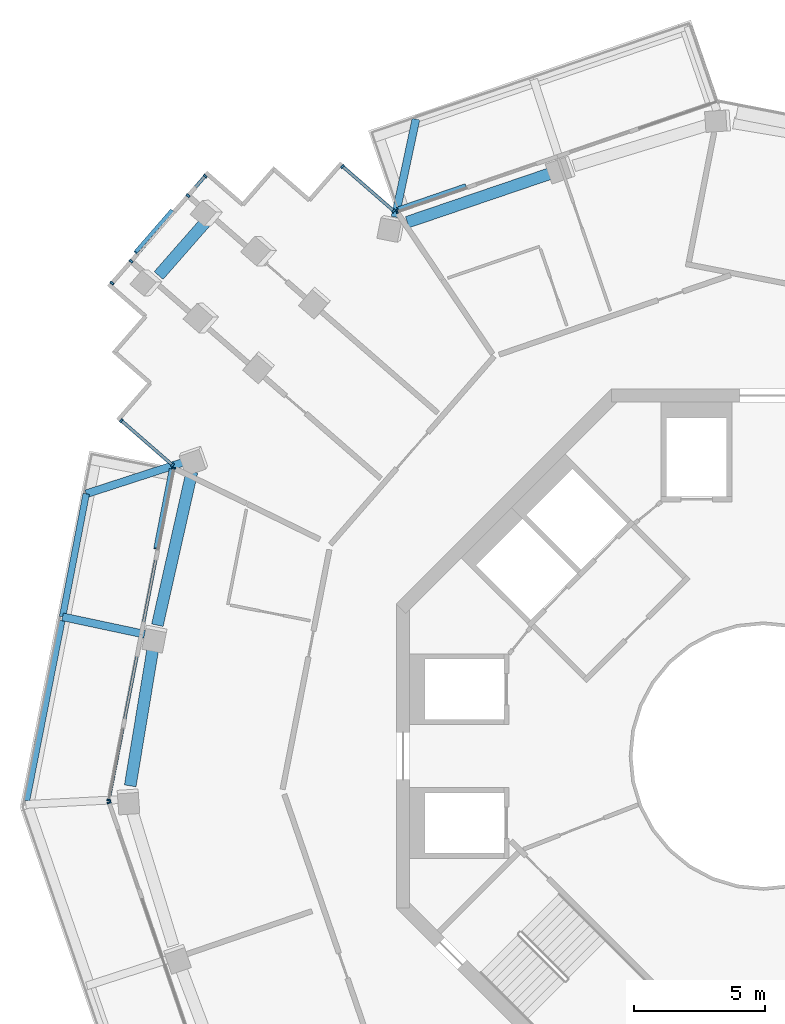
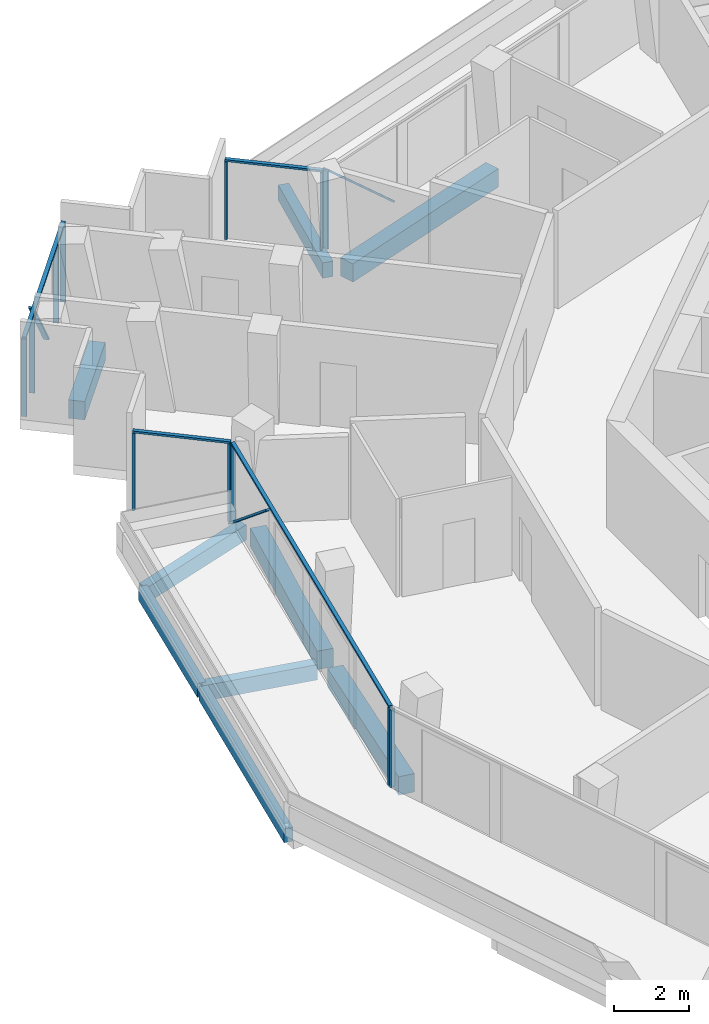
# One storey, part 6 of 22: 19 members, 9 beams, 6 elements without a shape of their own.
"""IFC4 building model written with IfcOpenShell, lengths in metres."""

import ifcopenshell
import ifcopenshell.guid

model = None  # the IFC model being written
_history = None  # IfcOwnerHistory: only IFC2X3 demands one
_inside = {}  # id of a spatial element -> (the spatial element, [elements in it])
_under = {}  # id of a project, library or spatial element -> (it, [spatial elements below it])
_declared = {}  # id of a project -> (the project, [libraries it declares])
_typed = {}  # id of a type object -> (the type object, [elements of that type])
_made_of = {}  # id of a material, layer set ... -> (it, [elements and type objects made of it])


def new_model(schema):
    """Start an empty IFC model of exactly this schema.

    Asked for "IFC4X3", IfcOpenShell would pick the latest addendum, in which some entities
    have other attributes; the version numbers below select the first issue.
    IFC2X3 requires an IfcOwnerHistory on every rooted entity: one is made here for all.
    """
    global model, _history
    if schema == "IFC4X3":
        model = ifcopenshell.file(schema_version=(4, 3, 0, 0))
    else:
        model = ifcopenshell.file(schema=schema)
    _inside.clear()
    _under.clear()
    _declared.clear()
    _typed.clear()
    _made_of.clear()
    _history = None
    if model.schema == "IFC2X3":
        org = make("IfcOrganization", Name="unknown")
        user = make(
            "IfcPersonAndOrganization",
            ThePerson=make("IfcPerson", FamilyName="unknown"),
            TheOrganization=org,
        )
        app = make(
            "IfcApplication",
            ApplicationDeveloper=org,
            Version="unknown",
            ApplicationFullName="unknown",
            ApplicationIdentifier="unknown",
        )
        _history = make(
            "IfcOwnerHistory",
            OwningUser=user,
            OwningApplication=app,
            ChangeAction="ADDED",
            CreationDate=0,
        )
    return model


def make(cls, **values):
    """One entity of the class cls with the attributes given. An attribute that is None is left unset."""
    return model.create_entity(
        cls, **{name: value for name, value in values.items() if value is not None}
    )


def rooted(cls, **values):
    """An entity with a GlobalId (a new one), such as an element, a storey or a relation."""
    return make(cls, GlobalId=ifcopenshell.guid.new(), OwnerHistory=_history, **values)


def si_unit(unit_type, name, prefix=None):
    """IfcSIUnit, for example si_unit("LENGTHUNIT", "METRE", prefix="MILLI")."""
    return make("IfcSIUnit", UnitType=unit_type, Prefix=prefix, Name=name)


def assignment(units):
    """IfcUnitAssignment: the units of a project."""
    return None if units is None else make("IfcUnitAssignment", Units=units)


def point(xyz):
    """IfcCartesianPoint."""
    return None if xyz is None else make("IfcCartesianPoint", Coordinates=xyz)


def direction(xyz):
    """IfcDirection."""
    return None if xyz is None else make("IfcDirection", DirectionRatios=xyz)


def frame(location, z_axis=None, x_axis=None):
    """IfcAxis2Placement3D, a coordinate frame: its origin and axes. An axis left out is left unset."""
    return make(
        "IfcAxis2Placement3D",
        Location=point(location),
        Axis=direction(z_axis),
        RefDirection=direction(x_axis),
    )


def frame_2d(location, x_axis=None):
    """IfcAxis2Placement2D, a coordinate frame in the plane: its origin and x axis."""
    return make(
        "IfcAxis2Placement2D", Location=point(location), RefDirection=direction(x_axis)
    )


def origin():
    """The frame at (0, 0, 0) with its axes left unset."""
    return frame((0.0, 0.0, 0.0))


def origin_2d():
    """The frame at (0, 0) in the plane with its x axis left unset."""
    return frame_2d((0.0, 0.0))


def place(relative_to, where):
    """IfcLocalPlacement: puts the frame where relative to a parent placement (None: the world)."""
    return make(
        "IfcLocalPlacement", PlacementRelTo=relative_to, RelativePlacement=where
    )


def context(
    kind, dimensions, precision=None, world=None, true_north=None, identifier=None
):
    """IfcGeometricRepresentationContext, for example the 3D "Model" context."""
    return make(
        "IfcGeometricRepresentationContext",
        ContextIdentifier=identifier,
        ContextType=kind,
        CoordinateSpaceDimension=dimensions,
        Precision=precision,
        WorldCoordinateSystem=world,
        TrueNorth=true_north,
    )


def subcontext(parent, identifier, kind, view, scale=None):
    """IfcGeometricRepresentationSubContext, for example "Body" below "Model"."""
    return make(
        "IfcGeometricRepresentationSubContext",
        ContextIdentifier=identifier,
        ContextType=kind,
        ParentContext=parent,
        TargetScale=scale,
        TargetView=view,
    )


def project(units=None, contexts=None):
    """IfcProject with its units and contexts."""
    return rooted(
        "IfcProject",
        Name="project",
        RepresentationContexts=contexts,
        UnitsInContext=assignment(units),
    )


def spatial(cls, under=None, at=None, **own):
    """A site, building, storey or space (cls), placed at a placement, below another one or the project."""
    s = rooted(cls, ObjectPlacement=at, **own)
    if under is not None:
        _under.setdefault(under.id(), (under, []))[1].append(s)
    return s


def profile(cls, at=None, kind="AREA", **sizes):
    """A parametric profile (cls). Its sizes go by their IFC names, for example OverallWidth=200.0."""
    return make(cls, ProfileType=kind, Position=at, **sizes)


def rectangle(**sizes):
    """IfcRectangleProfileDef."""
    return profile("IfcRectangleProfileDef", **sizes)


def extrude(swept, where, along, depth):
    """IfcExtrudedAreaSolid: the profile swept, set in the frame where, extruded along a direction by depth."""
    return make(
        "IfcExtrudedAreaSolid",
        SweptArea=swept,
        Position=where,
        ExtrudedDirection=direction(along),
        Depth=depth,
    )


def shape(context_of_items, identifier, shape_type, items):
    """IfcShapeRepresentation: the items that make up one representation, for example the "Body"."""
    return make(
        "IfcShapeRepresentation",
        ContextOfItems=context_of_items,
        RepresentationIdentifier=identifier,
        RepresentationType=shape_type,
        Items=items,
    )


def material(Name=None, Category=None):
    """IfcMaterial."""
    return make("IfcMaterial", Name=Name, Category=Category)


def layer(
    of_material, thickness, ventilated=None, Name=None, Category=None, Priority=None
):
    """IfcMaterialLayer: one layer of a wall or slab, of a material (None: an air gap)."""
    return make(
        "IfcMaterialLayer",
        Material=of_material,
        LayerThickness=thickness,
        IsVentilated=ventilated,
        Name=Name,
        Category=Category,
        Priority=Priority,
    )


def layer_set(layers, Name=None):
    """IfcMaterialLayerSet."""
    return make("IfcMaterialLayerSet", MaterialLayers=layers, LayerSetName=Name)


def material_profile(
    of_material, cross_section, Name=None, Category=None, Priority=None
):
    """IfcMaterialProfile: a cross section and its material."""
    return make(
        "IfcMaterialProfile",
        Name=Name,
        Material=of_material,
        Profile=cross_section,
        Priority=Priority,
        Category=Category,
    )


def profile_set(profiles, Name=None, composite=None):
    """IfcMaterialProfileSet."""
    return make(
        "IfcMaterialProfileSet",
        Name=Name,
        MaterialProfiles=profiles,
        CompositeProfile=composite,
    )


def made_of(thing, what):
    """Note that an element or type object is made of a material, layer set ...; save() writes the relation."""
    if what is not None:
        _made_of.setdefault(what.id(), (what, []))[1].append(thing)
    return thing


def type_object(cls, material=None, **own):
    """A type object (cls), such as IfcWallType, which elements share."""
    return made_of(rooted(cls, **own), material)


def element(
    cls,
    number,
    at=None,
    inside=None,
    cuts=None,
    type_object=None,
    material=None,
    context=None,
    identifier="Body",
    shape_type=None,
    held_by="IfcProductDefinitionShape",
    body=None,
    shapes=None,
    **own,
):
    """One element of the class cls, such as IfcWall. Its Tag is "e" and its number.

    at: its placement. inside: the storey or other place that contains it. cuts: it is an
    opening in that element (IfcRelVoidsElement). A single representation is given by context,
    identifier, shape_type and body (its items); several are given by shapes. held_by: the class
    of the entity that holds the representations. save() writes the other relations.
    """
    e = rooted(cls, Tag="e%d" % number, ObjectPlacement=at, **own)
    if body is not None:
        shapes = [shape(context, identifier, shape_type, body)]
    if shapes is not None:
        e.Representation = make(held_by, Representations=shapes)
    if inside is not None:
        _inside.setdefault(inside.id(), (inside, []))[1].append(e)
    if cuts is not None:
        rooted(
            "IfcRelVoidsElement", RelatingBuildingElement=cuts, RelatedOpeningElement=e
        )
    if type_object is not None:
        _typed.setdefault(type_object.id(), (type_object, []))[1].append(e)
    return made_of(e, material)


def aggregate(whole, parts):
    """IfcRelAggregates: a whole, such as a stair, and the parts it consists of."""
    return rooted("IfcRelAggregates", RelatingObject=whole, RelatedObjects=parts)


def save(model, path):
    """Write the relations noted so far, then the file.

    IfcRelAggregates (storeys below a building ...), IfcRelContainedInSpatialStructure (elements
    in a storey), IfcRelDefinesByType, IfcRelAssociatesMaterial and IfcRelDeclares: one each for
    every whole, place, type object, material and project.
    """
    for whole, parts in _under.values():
        aggregate(whole, parts)
    for where, things in _inside.values():
        rooted(
            "IfcRelContainedInSpatialStructure",
            RelatedElements=things,
            RelatingStructure=where,
        )
    for kind, things in _typed.values():
        rooted("IfcRelDefinesByType", RelatedObjects=things, RelatingType=kind)
    for what, things in _made_of.values():
        rooted("IfcRelAssociatesMaterial", RelatedObjects=things, RelatingMaterial=what)
    for by, libraries in _declared.values():
        rooted("IfcRelDeclares", RelatingContext=by, RelatedDefinitions=libraries)
    model.write(path)


model = new_model("IFC4")

# Units and contexts
model_context = context("Model", 3, precision=1e-05, world=origin(), true_north=direction((0.0, 1.0)))
body_context = subcontext(model_context, "Body", "Model", "MODEL_VIEW")
ifc_project = project(units=[si_unit("LENGTHUNIT", "METRE"), si_unit("AREAUNIT", "SQUARE_METRE"), si_unit("VOLUMEUNIT", "CUBIC_METRE"), si_unit("PLANEANGLEUNIT", "RADIAN"), si_unit("MASSUNIT", "GRAM", prefix="KILO")], contexts=[model_context])

# Site, building, storey
site_placement = place(None, origin())
site = spatial("IfcSite", under=ifc_project, at=site_placement, CompositionType="ELEMENT")
building_placement = place(site_placement, origin())
building = spatial("IfcBuilding", under=site, at=building_placement, Name="Verdalira Terraces Hotel", CompositionType="ELEMENT")
storey_placement = place(building_placement, frame((0.0, 0.0, 234.0)))
storey = spatial("IfcBuildingStorey", under=building, at=storey_placement, Name="L57", CompositionType="ELEMENT", Elevation=234.0)

# Beams
ifc_material_1 = material(Name="Concrete C40", Category="concrete")
ifc_material_profile_1 = material_profile(ifc_material_1, rectangle(XDim=0.300049, YDim=0.5, at=origin_2d()), Name="RC 300X500")
ifc_profile_set_1 = profile_set([ifc_material_profile_1], Name="Concrete C40")
beam_type_1 = type_object("IfcBeamType", Name="Balcony cantilever beam RC 300X500 C40", PredefinedType="BEAM", material=ifc_profile_set_1)
beam_1_placement = place(storey_placement, frame((-22.076172, 11.226074, -0.560059), z_axis=(-0.951072214, -0.308968677, 0.0), x_axis=(0.308968677, -0.951072214, 0.0)))
element("IfcBeam", 1, at=beam_1_placement, inside=storey, type_object=beam_type_1, Name="Balcony cantilever beam R11-3", PredefinedType="BEAM", context=body_context, shape_type="SweptSolid", body=[
    extrude(rectangle(XDim=0.300049, YDim=0.5, at=origin_2d()), origin(), (0.0, 0.0, 1.0), 3.950195),
])
beam_2_placement = place(storey_placement, frame((-23.604736, 4.647949, -0.560059), z_axis=(-0.978144891, 0.207924437, 0.0), x_axis=(-0.207924437, -0.978144891, 0.0)))
element("IfcBeam", 2, at=beam_2_placement, inside=storey, type_object=beam_type_1, Name="Balcony cantilever beam R11-4", PredefinedType="BEAM", context=body_context, shape_type="SweptSolid", body=[
    extrude(rectangle(XDim=0.300049, YDim=0.5, at=origin_2d()), origin(), (0.0, 0.0, 1.0), 3.200928),
])
beam_3_placement = place(storey_placement, frame((-14.048584, 20.562256, -0.560059), z_axis=(0.207913793, 0.978147154, 0.0), x_axis=(-0.978147154, 0.207913793, 0.0)))
element("IfcBeam", 3, at=beam_3_placement, inside=storey, type_object=beam_type_1, Name="Balcony cantilever beam R41-3", PredefinedType="BEAM", context=body_context, shape_type="SweptSolid", body=[
    extrude(rectangle(XDim=0.300049, YDim=0.5, at=origin_2d()), origin(), (0.0, 0.0, 1.0), 3.819824),
])
ifc_material_2 = material(Name="Concrete C40", Category="concrete")
ifc_material_profile_2 = material_profile(ifc_material_2, rectangle(XDim=0.25, YDim=0.449951, at=origin_2d()), Name="RC 250X450")
ifc_profile_set_2 = profile_set([ifc_material_profile_2], Name="Concrete C40")
beam_type_2 = type_object("IfcBeamType", Name="Balcony edge beam RC 250X450 C40", PredefinedType="BEAM", material=ifc_profile_set_2)
beam_4_placement = place(storey_placement, frame((-25.833008, 10.005615, -0.534912), z_axis=(-0.188898561, -0.981996606, 0.0), x_axis=(0.981996606, -0.188898561, 0.0)))
element("IfcBeam", 4, at=beam_4_placement, inside=storey, type_object=beam_type_2, Name="Balcony edge beam R11-2", PredefinedType="BEAM", context=body_context, shape_type="SweptSolid", body=[
    extrude(rectangle(XDim=0.25, YDim=0.449951, at=origin_2d()), origin(), (0.0, 0.0, 1.0), 4.778076),
])
beam_5_placement = place(storey_placement, frame((-26.764404, 5.16626, -0.534912), z_axis=(-0.192313573, -0.981333526, 0.0), x_axis=(0.981333526, -0.192313573, 0.0)))
element("IfcBeam", 5, at=beam_5_placement, inside=storey, type_object=beam_type_2, Name="Balcony edge beam R11-3", PredefinedType="BEAM", context=body_context, shape_type="SweptSolid", body=[
    extrude(rectangle(XDim=0.25, YDim=0.449951, at=origin_2d()), origin(), (0.0, 0.0, 1.0), 6.991211),
])

# Curtain wall, members
ifc_material_3 = material(Name="Clear glass", Category="glass")
ifc_layer_1 = layer(ifc_material_3, 0.14990234375)
ifc_layer_set_1 = layer_set([ifc_layer_1], Name="CW1 curtain wall")
curtain_wall_type_1 = type_object("IfcCurtainWallType", Name="CW1 curtain wall", PredefinedType="NOTDEFINED", material=ifc_layer_set_1)
curtain_wall_1_placement = place(storey_placement, origin())
curtain_wall_1 = element("IfcCurtainWall", 6, at=curtain_wall_1_placement, inside=storey, type_object=curtain_wall_type_1, Name="CW1 curtain wall L57 edge 11", PredefinedType="NOTDEFINED")
ifc_material_4 = material(Name="Terracotta frame", Category="masonry")
ifc_material_profile_3 = material_profile(ifc_material_4, rectangle(XDim=0.060059, YDim=0.149902, at=origin_2d()), Name="MU 60x150")
ifc_profile_set_3 = profile_set([ifc_material_profile_3], Name="Terracotta frame")
member_type_1 = type_object("IfcMemberType", Name="CW1 mullion 60x150", PredefinedType="MULLION", material=ifc_profile_set_3)
member_1_placement = place(storey_placement, frame((-22.496826, 10.981201, 0.0), z_axis=(0.0, 0.0, 1.0), x_axis=(-0.191494254, -0.981493734, 0.0)))
member_1 = element("IfcMember", 7, at=member_1_placement, type_object=member_type_1, Name="CW1 mullion", PredefinedType="MULLION", context=body_context, shape_type="SweptSolid", body=[
    extrude(rectangle(XDim=0.060059, YDim=0.149902, at=origin_2d()), origin(), (0.0, 0.0, 1.0), 2.524902),
])
member_2_placement = place(storey_placement, frame((-24.967041, -1.679932, 0.0), z_axis=(0.0, 0.0, 1.0), x_axis=(-0.191494254, -0.981493734, 0.0)))
member_2 = element("IfcMember", 8, at=member_2_placement, type_object=member_type_1, Name="CW1 mullion", PredefinedType="MULLION", context=body_context, shape_type="SweptSolid", body=[
    extrude(rectangle(XDim=0.060059, YDim=0.149902, at=origin_2d()), origin(), (0.0, 0.0, 1.0), 2.524902),
])

# Curtain wall, member
curtain_wall_2_placement = place(storey_placement, origin())
curtain_wall_2 = element("IfcCurtainWall", 9, at=curtain_wall_2_placement, inside=storey, type_object=curtain_wall_type_1, Name="CW1 curtain wall L57 edge 12", PredefinedType="NOTDEFINED")
member_3_placement = place(storey_placement, frame((-24.960449, -1.776367, 0.0), z_axis=(0.0, 0.0, 1.0), x_axis=(0.324907979, -0.945745635, 0.0)))
member_3 = element("IfcMember", 10, at=member_3_placement, type_object=member_type_1, Name="CW1 mullion", PredefinedType="MULLION", context=body_context, shape_type="SweptSolid", body=[
    extrude(rectangle(XDim=0.060059, YDim=0.149902, at=origin_2d()), origin(), (0.0, 0.0, 1.0), 2.524902),
])
aggregate(curtain_wall_2, [member_3])

curtain_wall_3_placement = place(storey_placement, origin())
curtain_wall_3 = element("IfcCurtainWall", 11, at=curtain_wall_3_placement, inside=storey, type_object=curtain_wall_type_1, Name="CW1 curtain wall L57 edge 41", PredefinedType="NOTDEFINED")
member_4_placement = place(storey_placement, frame((-13.976318, 20.769043, 0.0), z_axis=(0.0, 0.0, 1.0), x_axis=(-0.945745635, -0.324907979, 0.0)))
member_4 = element("IfcMember", 12, at=member_4_placement, type_object=member_type_1, Name="CW1 mullion", PredefinedType="MULLION", context=body_context, shape_type="SweptSolid", body=[
    extrude(rectangle(XDim=0.060059, YDim=0.149902, at=origin_2d()), origin(), (0.0, 0.0, 1.0), 2.524902),
])

# Member
ifc_material_5 = material(Name="Terracotta frame", Category="masonry")
ifc_material_profile_4 = material_profile(ifc_material_5, rectangle(XDim=0.110107, YDim=0.064941, at=origin_2d()), Name="TR 65x110")
ifc_profile_set_4 = profile_set([ifc_material_profile_4], Name="Terracotta frame")
member_type_2 = type_object("IfcMemberType", Name="CW1 transom 65x110", PredefinedType="USERDEFINED", material=ifc_profile_set_4)
member_5_placement = place(storey_placement, frame((-22.490967, 11.010742, 2.557617), z_axis=(-0.191509474, -0.981490765, 0.0), x_axis=(0.981490765, -0.191509474, 0.0)))
member_5 = element("IfcMember", 13, at=member_5_placement, type_object=member_type_2, Name="CW1 transom", ObjectType="TRANSOM", PredefinedType="USERDEFINED", context=body_context, shape_type="SweptSolid", body=[
    extrude(rectangle(XDim=0.110107, YDim=0.064941, at=origin_2d()), origin(), (0.0, 0.0, 1.0), 12.959961),
])

# Curtain wall, members
ifc_material_6 = material(Name="Clear glass", Category="glass")
ifc_layer_2 = layer(ifc_material_6, 0.14990234375)
ifc_layer_set_2 = layer_set([ifc_layer_2], Name="CW2 curtain wall")
curtain_wall_type_2 = type_object("IfcCurtainWallType", Name="CW2 curtain wall", PredefinedType="NOTDEFINED", material=ifc_layer_set_2)
curtain_wall_4_placement = place(storey_placement, origin())
curtain_wall_4 = element("IfcCurtainWall", 14, at=curtain_wall_4_placement, inside=storey, type_object=curtain_wall_type_2, Name="CW2 curtain wall L57 edge 0", PredefinedType="NOTDEFINED")
ifc_material_7 = material(Name="Terracotta frame", Category="masonry")
ifc_material_profile_5 = material_profile(ifc_material_7, rectangle(XDim=0.070068, YDim=0.149902, at=origin_2d()), Name="MU 70x150")
ifc_profile_set_5 = profile_set([ifc_material_profile_5], Name="Terracotta frame")
member_type_3 = type_object("IfcMemberType", Name="CW2 mullion 70x150", PredefinedType="MULLION", material=ifc_profile_set_5)
member_6_placement = place(storey_placement, frame((-14.104736, 20.796631, 0.0), z_axis=(0.0, 0.0, 1.0), x_axis=(-0.754251381, 0.656585756, 0.0)))
member_6 = element("IfcMember", 15, at=member_6_placement, type_object=member_type_3, Name="CW2 mullion", PredefinedType="MULLION", context=body_context, shape_type="SweptSolid", body=[
    extrude(rectangle(XDim=0.070068, YDim=0.149902, at=origin_2d()), origin(), (0.0, 0.0, 1.0), 2.524902),
])
member_7_placement = place(storey_placement, frame((-16.055664, 22.495117, 0.0), z_axis=(0.0, 0.0, 1.0), x_axis=(-0.754251381, 0.656585756, 0.0)))
member_7 = element("IfcMember", 16, at=member_7_placement, type_object=member_type_3, Name="CW2 mullion", PredefinedType="MULLION", context=body_context, shape_type="SweptSolid", body=[
    extrude(rectangle(XDim=0.070068, YDim=0.149902, at=origin_2d()), origin(), (0.0, 0.0, 1.0), 2.524902),
])

curtain_wall_5_placement = place(storey_placement, origin())
curtain_wall_5 = element("IfcCurtainWall", 17, at=curtain_wall_5_placement, inside=storey, type_object=curtain_wall_type_2, Name="CW2 curtain wall L57 edge 10", PredefinedType="NOTDEFINED")
member_8_placement = place(storey_placement, frame((-24.492676, 12.802979, 0.0), z_axis=(0.0, 0.0, 1.0), x_axis=(0.754251381, -0.656585756, 0.0)))
member_8 = element("IfcMember", 18, at=member_8_placement, type_object=member_type_3, Name="CW2 mullion", PredefinedType="MULLION", context=body_context, shape_type="SweptSolid", body=[
    extrude(rectangle(XDim=0.070068, YDim=0.149902, at=origin_2d()), origin(), (0.0, 0.0, 1.0), 2.524902),
])
member_9_placement = place(storey_placement, frame((-22.541748, 11.104492, 0.0), z_axis=(0.0, 0.0, 1.0), x_axis=(0.754251381, -0.656585756, 0.0)))
member_9 = element("IfcMember", 19, at=member_9_placement, type_object=member_type_3, Name="CW2 mullion", PredefinedType="MULLION", context=body_context, shape_type="SweptSolid", body=[
    extrude(rectangle(XDim=0.070068, YDim=0.149902, at=origin_2d()), origin(), (0.0, 0.0, 1.0), 2.524902),
])

# Member
ifc_material_8 = material(Name="Terracotta frame", Category="masonry")
ifc_material_profile_6 = material_profile(ifc_material_8, rectangle(XDim=0.11499, YDim=0.064941, at=origin_2d()), Name="TR 65x115")
ifc_profile_set_6 = profile_set([ifc_material_profile_6], Name="Terracotta frame")
member_type_4 = type_object("IfcMemberType", Name="CW2 transom 65x115", PredefinedType="USERDEFINED", material=ifc_profile_set_6)
member_10_placement = place(storey_placement, frame((-14.078369, 20.773682, 2.557617), z_axis=(-0.754219592, 0.656622272, 0.0), x_axis=(-0.656622272, -0.754219592, 0.0)))
member_10 = element("IfcMember", 20, at=member_10_placement, type_object=member_type_4, Name="CW2 transom", ObjectType="TRANSOM", PredefinedType="USERDEFINED", context=body_context, shape_type="SweptSolid", body=[
    extrude(rectangle(XDim=0.11499, YDim=0.064941, at=origin_2d()), origin(), (0.0, 0.0, 1.0), 2.656494),
])

aggregate(curtain_wall_4, [member_6, member_7, member_10])

member_11_placement = place(storey_placement, frame((-24.519043, 12.825928, 2.557617), z_axis=(0.754219592, -0.656622272, 0.0), x_axis=(0.656622272, 0.754219592, 0.0)))
member_11 = element("IfcMember", 21, at=member_11_placement, type_object=member_type_4, Name="CW2 transom", ObjectType="TRANSOM", PredefinedType="USERDEFINED", context=body_context, shape_type="SweptSolid", body=[
    extrude(rectangle(XDim=0.11499, YDim=0.064941, at=origin_2d()), origin(), (0.0, 0.0, 1.0), 2.656494),
])

aggregate(curtain_wall_5, [member_8, member_9, member_11])

# Curtain wall, members
ifc_material_9 = material(Name="Clear glass", Category="glass")
ifc_layer_3 = layer(ifc_material_9, 0.14990234375)
ifc_layer_set_3 = layer_set([ifc_layer_3], Name="CW3 curtain wall")
curtain_wall_type_3 = type_object("IfcCurtainWallType", Name="CW3 curtain wall", PredefinedType="NOTDEFINED", material=ifc_layer_set_3)
curtain_wall_6_placement = place(storey_placement, origin())
curtain_wall_6 = element("IfcCurtainWall", 22, at=curtain_wall_6_placement, inside=storey, type_object=curtain_wall_type_3, Name="CW3 curtain wall L57 edge 5", PredefinedType="NOTDEFINED")
ifc_material_10 = material(Name="Terracotta frame", Category="masonry")
ifc_material_profile_7 = material_profile(ifc_material_10, rectangle(XDim=0.080078, YDim=0.149902, at=origin_2d()), Name="MU 80x150")
ifc_profile_set_7 = profile_set([ifc_material_profile_7], Name="Terracotta frame")
member_type_5 = type_object("IfcMemberType", Name="CW3 mullion 80x150", PredefinedType="MULLION", material=ifc_profile_set_7)
member_12_placement = place(storey_placement, frame((-21.293213, 22.128906, 0.0), z_axis=(0.0, 0.0, 1.0), x_axis=(-0.656585756, -0.754251381, 0.0)))
member_12 = element("IfcMember", 23, at=member_12_placement, type_object=member_type_5, Name="CW3 mullion", PredefinedType="MULLION", context=body_context, shape_type="SweptSolid", body=[
    extrude(rectangle(XDim=0.080078, YDim=0.149902, at=origin_2d()), origin(), (0.0, 0.0, 1.0), 2.524902),
])
member_13_placement = place(storey_placement, frame((-21.945068, 21.379883, 0.0), z_axis=(0.0, 0.0, 1.0), x_axis=(-0.656585756, -0.754251381, 0.0)))
member_13 = element("IfcMember", 24, at=member_13_placement, type_object=member_type_5, Name="CW3 mullion", PredefinedType="MULLION", context=body_context, shape_type="SweptSolid", body=[
    extrude(rectangle(XDim=0.080078, YDim=0.149902, at=origin_2d()), origin(), (0.0, 0.0, 1.0), 2.524902),
])
member_14_placement = place(storey_placement, frame((-24.121582, 18.879639, 0.0), z_axis=(0.0, 0.0, 1.0), x_axis=(-0.656585756, -0.754251381, 0.0)))
member_14 = element("IfcMember", 25, at=member_14_placement, type_object=member_type_5, Name="CW3 mullion", PredefinedType="MULLION", context=body_context, shape_type="SweptSolid", body=[
    extrude(rectangle(XDim=0.080078, YDim=0.149902, at=origin_2d()), origin(), (0.0, 0.0, 1.0), 2.524902),
])
member_15_placement = place(storey_placement, frame((-24.851807, 18.040771, 0.0), z_axis=(0.0, 0.0, 1.0), x_axis=(-0.656585756, -0.754251381, 0.0)))
member_15 = element("IfcMember", 26, at=member_15_placement, type_object=member_type_5, Name="CW3 mullion", PredefinedType="MULLION", context=body_context, shape_type="SweptSolid", body=[
    extrude(rectangle(XDim=0.080078, YDim=0.149902, at=origin_2d()), origin(), (0.0, 0.0, 1.0), 2.524902),
])
ifc_material_11 = material(Name="Terracotta frame", Category="masonry")
ifc_material_profile_8 = material_profile(ifc_material_11, rectangle(XDim=0.120117, YDim=0.064941, at=origin_2d()), Name="TR 65x120")
ifc_profile_set_8 = profile_set([ifc_material_profile_8], Name="Terracotta frame")
member_type_6 = type_object("IfcMemberType", Name="CW3 transom 65x120", PredefinedType="USERDEFINED", material=ifc_profile_set_8)
member_16_placement = place(storey_placement, frame((-21.266846, 22.15918, 2.557617), z_axis=(-0.656591824, -0.754246098, 0.0), x_axis=(0.754246098, -0.656591824, 0.0)))
member_16 = element("IfcMember", 27, at=member_16_placement, type_object=member_type_6, Name="CW3 transom", ObjectType="TRANSOM", PredefinedType="USERDEFINED", context=body_context, shape_type="SweptSolid", body=[
    extrude(rectangle(XDim=0.120117, YDim=0.064941, at=origin_2d()), origin(), (0.0, 0.0, 1.0), 5.5),
])
ifc_material_12 = material(Name="Terracotta frame", Category="masonry")
ifc_material_profile_9 = material_profile(ifc_material_12, rectangle(XDim=0.149902, YDim=0.060059, at=origin_2d()), Name="GB 60x150")
ifc_profile_set_9 = profile_set([ifc_material_profile_9], Name="Terracotta frame")
member_type_7 = type_object("IfcMemberType", Name="Diagonal glazing bar 60x150", PredefinedType="USERDEFINED", material=ifc_profile_set_9)
member_17_placement = place(storey_placement, frame((-22.566895, 20.807129, 0.028076), z_axis=(-0.426658488, -0.490101011, 0.76010758), x_axis=(0.754236819, -0.656602483, 0.0)))
member_17 = element("IfcMember", 28, at=member_17_placement, type_object=member_type_7, Name="Diagonal glazing bar", ObjectType="GLAZING BAR", PredefinedType="USERDEFINED", context=body_context, shape_type="SweptSolid", body=[
    extrude(rectangle(XDim=0.149902, YDim=0.060059, at=origin_2d()), origin(), (0.0, 0.0, 1.0), 3.247803),
])
aggregate(curtain_wall_6, [member_12, member_13, member_14, member_15, member_16, member_17])

# Member
member_18_placement = place(storey_placement, frame((-22.595703, 10.938721, 0.024658), z_axis=(-0.14923844, -0.764854728, 0.626677854), x_axis=(0.981490956, -0.191508496, 0.0)))
member_18 = element("IfcMember", 29, at=member_18_placement, type_object=member_type_7, Name="Diagonal glazing bar", ObjectType="GLAZING BAR", PredefinedType="USERDEFINED", context=body_context, shape_type="SweptSolid", body=[
    extrude(rectangle(XDim=0.149902, YDim=0.060059, at=origin_2d()), origin(), (0.0, 0.0, 1.0), 3.950684),
])

aggregate(curtain_wall_1, [member_1, member_2, member_5, member_18])

member_19_placement = place(storey_placement, frame((-11.373535, 21.757568, 0.023438), z_axis=(-0.699906243, -0.24045818, 0.67254079), x_axis=(0.324917118, -0.945742495, 0.0)))
member_19 = element("IfcMember", 30, at=member_19_placement, type_object=member_type_7, Name="Diagonal glazing bar", ObjectType="GLAZING BAR", PredefinedType="USERDEFINED", context=body_context, shape_type="SweptSolid", body=[
    extrude(rectangle(XDim=0.149902, YDim=0.060059, at=origin_2d()), origin(), (0.0, 0.0, 1.0), 3.68457),
])

aggregate(curtain_wall_3, [member_4, member_19])

# Beams
ifc_material_13 = material(Name="Concrete C40", Category="concrete")
ifc_material_profile_10 = material_profile(ifc_material_13, rectangle(XDim=0.449951, YDim=0.600098, at=origin_2d()), Name="RC 450X600")
ifc_profile_set_10 = profile_set([ifc_material_profile_10], Name="Concrete C40")
beam_type_3 = type_object("IfcBeamType", Name="Spandrel beam RC 450X600 C40", PredefinedType="SPANDREL", material=ifc_profile_set_10)
beam_6_placement = place(storey_placement, frame((-21.218994, 20.446777, -0.610107), z_axis=(-0.658824354, -0.752296797, 0.0), x_axis=(0.752296797, -0.658824354, 0.0)))
element("IfcBeam", 31, at=beam_6_placement, inside=storey, type_object=beam_type_3, Name="Spandrel beam B01", PredefinedType="SPANDREL", context=body_context, shape_type="SweptSolid", body=[
    extrude(rectangle(XDim=0.449951, YDim=0.600098, at=origin_2d()), origin(), (0.0, 0.0, 1.0), 2.810303),
])
beam_7_placement = place(storey_placement, frame((-21.799805, 10.846191, -0.610107), z_axis=(-0.219691319, -0.975569436, 0.0), x_axis=(0.975569436, -0.219691319, 0.0)))
element("IfcBeam", 32, at=beam_7_placement, inside=storey, type_object=beam_type_3, Name="Spandrel beam B02", PredefinedType="SPANDREL", context=body_context, shape_type="SweptSolid", body=[
    extrude(rectangle(XDim=0.449951, YDim=0.600098, at=origin_2d()), origin(), (0.0, 0.0, 1.0), 5.999756),
])
beam_8_placement = place(storey_placement, frame((-23.274902, 4.185791, -0.610107), z_axis=(-0.163070407, -0.986614434, 0.0), x_axis=(0.986614434, -0.163070407, 0.0)))
element("IfcBeam", 33, at=beam_8_placement, inside=storey, type_object=beam_type_3, Name="Spandrel beam B03", PredefinedType="SPANDREL", context=body_context, shape_type="SweptSolid", body=[
    extrude(rectangle(XDim=0.449951, YDim=0.600098, at=origin_2d()), origin(), (0.0, 0.0, 1.0), 5.394287),
])
beam_9_placement = place(storey_placement, frame((-8.005127, 22.266113, -0.610107), z_axis=(-0.946692658, -0.322138186, 0.0), x_axis=(0.322138186, -0.946692658, 0.0)))
element("IfcBeam", 34, at=beam_9_placement, inside=storey, type_object=beam_type_3, Name="Spandrel beam B23", PredefinedType="SPANDREL", context=body_context, shape_type="SweptSolid", body=[
    extrude(rectangle(XDim=0.449951, YDim=0.600098, at=origin_2d()), origin(), (0.0, 0.0, 1.0), 5.892578),
])

save(model, "model.ifc")
